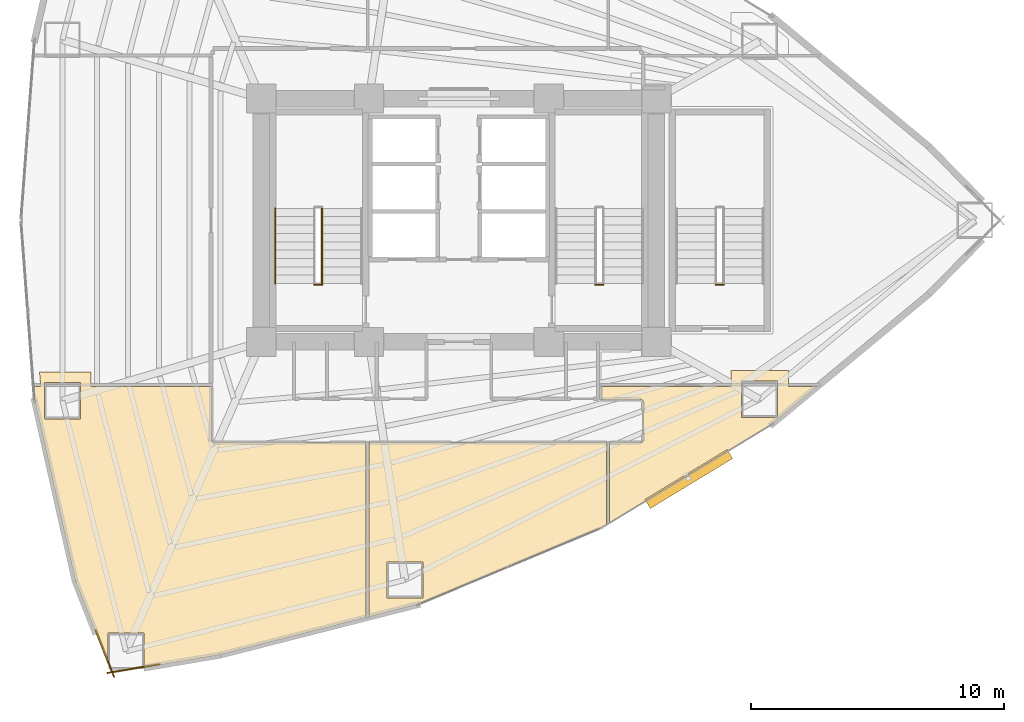
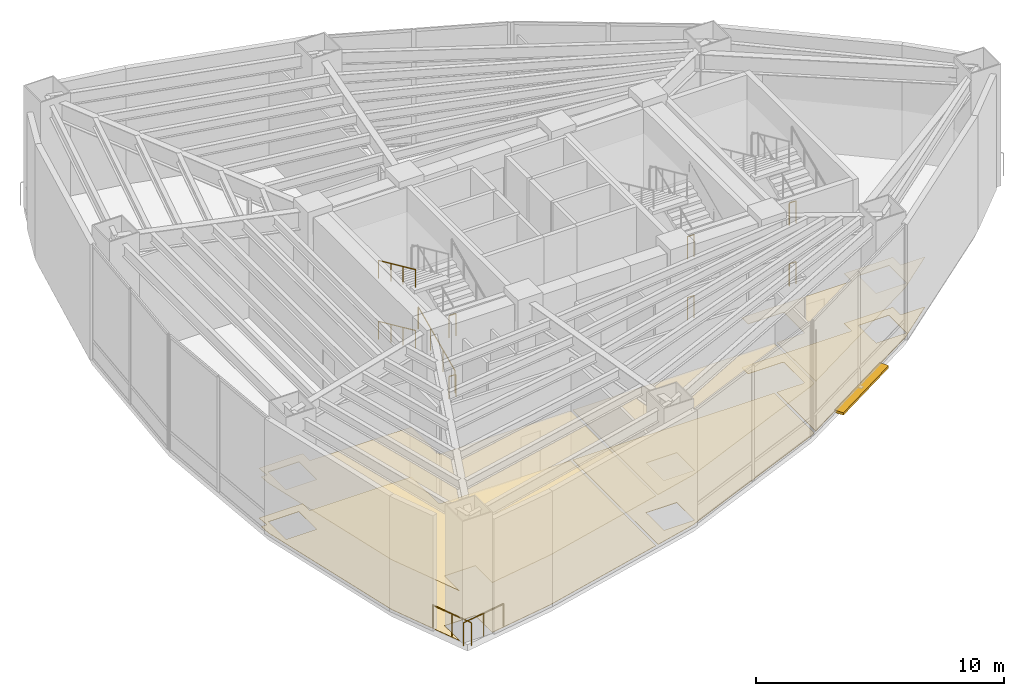
# One storey, part 17 of 19: 11 railings, 6 coverings, 1 shading device.
"""IFC4 building model written with IfcOpenShell, lengths in metres."""

from ifc_helpers import new_model, si_unit, direction, frame, origin, origin_2d, place, context, subcontext, project, spatial, polyline, rectangle, circle, outline, extrude, material, layer, layer_set, type_object, element, save


model = new_model("IFC4")

# Units and contexts
model_context = context("Model", 3, precision=1e-05, world=origin(), true_north=direction((0.0, 1.0)))
body_context = subcontext(model_context, "Body", "Model", "MODEL_VIEW")
ifc_project = project(units=[si_unit("LENGTHUNIT", "METRE"), si_unit("AREAUNIT", "SQUARE_METRE"), si_unit("VOLUMEUNIT", "CUBIC_METRE"), si_unit("PLANEANGLEUNIT", "RADIAN"), si_unit("MASSUNIT", "GRAM", prefix="KILO")], contexts=[model_context])

# Site, building, storey
site_placement = place(None, origin())
site = spatial("IfcSite", under=ifc_project, at=site_placement, CompositionType="ELEMENT")
building_placement = place(site_placement, origin())
building = spatial("IfcBuilding", under=site, at=building_placement, Name="Menara Vayukalpa", CompositionType="ELEMENT")
storey_placement = place(building_placement, frame((0.0, 0.0, 12.0)))
storey = spatial("IfcBuildingStorey", under=building, at=storey_placement, Name="L02", CompositionType="ELEMENT", Elevation=12.0)

# Coverings
ifc_material_1 = material(Name="Mineral Fibre Acoustic Ceiling Tile", Category="masonry")
ifc_layer_1 = layer(ifc_material_1, 0.02490234375)
ifc_layer_set_1 = layer_set([ifc_layer_1], Name="Mineral Fibre Acoustic Ceiling Tile")
covering_type_1 = type_object("IfcCoveringType", Name="COV-CLG1", PredefinedType="CEILING", material=ifc_layer_set_1)
covering_1_placement = place(storey_placement, frame((0.0, 0.0, 2.449951171875)))
element("IfcCovering", 1, at=covering_1_placement, inside=storey, type_object=covering_type_1, Name="L02 Corporate Town Hall Auditorium Acoustic Ceiling", PredefinedType="CEILING", context=body_context, shape_type="SweptSolid", body=[
    extrude(outline(polyline([(10.4658203125, 7.744384765625), (10.465576171875, 7.7451171875), (10.46533203125, 7.745849609375), (8.862060546875, 14.871826171875), (8.86181640625, 14.873291015625), (8.820068359375, 15.42919921875), (8.820068359375, 15.43017578125), (8.8203125, 15.43115234375), (8.8203125, 15.43212890625), (8.820556640625, 15.43310546875), (8.82080078125, 15.43408203125), (8.8212890625, 15.434814453125), (8.822021484375, 15.435791015625), (8.822509765625, 15.436279296875), (8.822998046875, 15.43701171875), (8.82373046875, 15.437744140625), (8.82470703125, 15.4384765625), (8.825439453125, 15.43896484375), (8.826416015625, 15.439208984375), (8.8271484375, 15.439697265625), (8.828125, 15.439697265625), (8.8291015625, 15.43994140625), (8.830078125, 15.43994140625), (9.090087890625, 15.43994140625), (9.047607421875, 16.006103515625), (11.0869140625, 16.006103515625), (11.0869140625, 15.43994140625), (15.820068359375, 15.43994140625), (15.821044921875, 15.43994140625), (15.822021484375, 15.439697265625), (15.822998046875, 15.439697265625), (15.82373046875, 15.439208984375), (15.82470703125, 15.438720703125), (15.82568359375, 15.438232421875), (15.826416015625, 15.437744140625), (15.8271484375, 15.43701171875), (15.82763671875, 15.436279296875), (15.828369140625, 15.435546875), (15.828857421875, 15.434814453125), (15.8291015625, 15.433837890625), (15.82958984375, 15.432861328125), (15.829833984375, 15.431884765625), (15.830078125, 15.430908203125), (15.830078125, 15.429931640625), (15.830078125, 13.290283203125), (15.830322265625, 13.283203125), (15.831298828125, 13.2763671875), (15.8330078125, 13.269775390625), (15.835205078125, 13.26318359375), (15.838134765625, 13.257080078125), (15.841796875, 13.251220703125), (15.845947265625, 13.24560546875), (15.8505859375, 13.240478515625), (15.85546875, 13.236083984375), (15.861083984375, 13.231689453125), (15.866943359375, 13.228271484375), (15.873291015625, 13.225341796875), (15.879638671875, 13.222900390625), (15.88623046875, 13.22119140625), (15.893310546875, 13.220458984375), (15.900390625, 13.219970703125), (21.929931640625, 13.219970703125), (21.930908203125, 13.219970703125), (21.931884765625, 13.2197265625), (21.932861328125, 13.219482421875), (21.933837890625, 13.21923828125), (21.934814453125, 13.21875), (21.935546875, 13.21826171875), (21.936279296875, 13.2177734375), (21.93701171875, 13.217041015625), (21.937744140625, 13.21630859375), (21.938232421875, 13.215576171875), (21.938720703125, 13.214599609375), (21.939208984375, 13.2138671875), (21.939697265625, 13.212890625), (21.939697265625, 13.2119140625), (21.93994140625, 13.2109375), (21.93994140625, 13.2099609375), (21.93994140625, 6.319091796875), (21.93994140625, 6.318115234375), (21.939697265625, 6.317138671875), (21.939453125, 6.316162109375), (21.939208984375, 6.315185546875), (21.938720703125, 6.314208984375), (21.938232421875, 6.3134765625), (21.9375, 6.3125), (21.93701171875, 6.311767578125), (21.93603515625, 6.311279296875), (21.935302734375, 6.310546875), (21.934326171875, 6.31005859375), (21.933349609375, 6.309814453125), (21.9326171875, 6.309326171875), (16.171875, 4.84033203125), (16.171142578125, 4.840087890625), (13.17529296875, 4.33154296875), (13.17529296875, 5.696044921875), (11.745361328125, 5.696044921875), (11.745361328125, 4.486328125), (10.4658203125, 7.744384765625)]), holes=[polyline([(10.6669921875, 15.586181640625), (9.237060546875, 15.586181640625), (9.237060546875, 14.156005859375), (10.6669921875, 14.156005859375), (10.6669921875, 15.586181640625)])]), origin(), (0.0, 0.0, 1.0), 0.025146484375),
])
covering_2_placement = place(storey_placement, frame((0.0, 0.0, 2.449951171875)))
element("IfcCovering", 2, at=covering_2_placement, inside=storey, type_object=covering_type_1, Name="L02 Executive Seminar Hall Acoustic Ceiling", PredefinedType="CEILING", context=body_context, shape_type="SweptSolid", body=[
    extrude(outline(polyline([(31.236083984375, 9.8681640625), (23.972412109375, 6.829833984375), (23.970947265625, 6.829345703125), (22.072509765625, 6.34521484375), (22.071533203125, 6.344970703125), (22.070556640625, 6.3447265625), (22.069580078125, 6.3447265625), (22.068603515625, 6.344970703125), (22.067626953125, 6.34521484375), (22.06689453125, 6.34521484375), (22.06591796875, 6.345703125), (22.065185546875, 6.34619140625), (22.064208984375, 6.3466796875), (22.0634765625, 6.34716796875), (22.062744140625, 6.347900390625), (22.062255859375, 6.3486328125), (22.0615234375, 6.349365234375), (22.06103515625, 6.35009765625), (22.060791015625, 6.35107421875), (22.060302734375, 6.35205078125), (22.060302734375, 6.352783203125), (22.06005859375, 6.353759765625), (22.06005859375, 6.354736328125), (22.06005859375, 13.2099609375), (22.06005859375, 13.2109375), (22.060302734375, 13.2119140625), (22.060302734375, 13.212890625), (22.060791015625, 13.2138671875), (22.061279296875, 13.214599609375), (22.061767578125, 13.215576171875), (22.062255859375, 13.21630859375), (22.06298828125, 13.217041015625), (22.063720703125, 13.2177734375), (22.064453125, 13.21826171875), (22.065185546875, 13.21875), (22.066162109375, 13.21923828125), (22.067138671875, 13.219482421875), (22.068115234375, 13.2197265625), (22.069091796875, 13.219970703125), (22.070068359375, 13.219970703125), (31.429931640625, 13.219970703125), (31.430908203125, 13.219970703125), (31.431884765625, 13.2197265625), (31.432861328125, 13.219482421875), (31.433837890625, 13.21923828125), (31.434814453125, 13.21875), (31.435546875, 13.21826171875), (31.436279296875, 13.2177734375), (31.43701171875, 13.217041015625), (31.437744140625, 13.21630859375), (31.438232421875, 13.215576171875), (31.438720703125, 13.214599609375), (31.439208984375, 13.2138671875), (31.439697265625, 13.212890625), (31.439697265625, 13.2119140625), (31.43994140625, 13.2109375), (31.43994140625, 13.2099609375), (31.43994140625, 10.005126953125), (31.440185546875, 9.99951171875), (31.440185546875, 9.9990234375), (31.4404296875, 9.998046875), (31.4404296875, 9.997314453125), (31.440185546875, 9.99609375), (31.440185546875, 9.995361328125), (31.439697265625, 9.994384765625), (31.439453125, 9.993408203125), (31.43896484375, 9.99267578125), (31.4384765625, 9.99169921875), (31.437744140625, 9.9912109375), (31.43701171875, 9.990478515625), (31.436279296875, 9.98974609375), (31.435546875, 9.9892578125), (31.2373046875, 9.868896484375), (31.23681640625, 9.868408203125), (31.236083984375, 9.8681640625)]), holes=[polyline([(24.190673828125, 8.51513671875), (22.760498046875, 8.51513671875), (22.760498046875, 7.085205078125), (24.190673828125, 7.085205078125), (24.190673828125, 8.51513671875)])]), origin(), (0.0, 0.0, 1.0), 0.025146484375),
])
covering_3_placement = place(storey_placement, frame((0.0, 0.0, 2.449951171875)))
element("IfcCovering", 3, at=covering_3_placement, inside=storey, type_object=covering_type_1, Name="L02 Commercial Kitchen and Servery Acoustic Ceiling", PredefinedType="CEILING", context=body_context, shape_type="SweptSolid", body=[
    extrude(outline(polyline([(31.573486328125, 10.0732421875), (31.572509765625, 10.072998046875), (31.571533203125, 10.07275390625), (31.570556640625, 10.072509765625), (31.569580078125, 10.072509765625), (31.568603515625, 10.07275390625), (31.56787109375, 10.07275390625), (31.56689453125, 10.072998046875), (31.56591796875, 10.073486328125), (31.565185546875, 10.073974609375), (31.564208984375, 10.074462890625), (31.5634765625, 10.074951171875), (31.562744140625, 10.07568359375), (31.562255859375, 10.076416015625), (31.5615234375, 10.0771484375), (31.56103515625, 10.077880859375), (31.560791015625, 10.078857421875), (31.560302734375, 10.079833984375), (31.560302734375, 10.080810546875), (31.56005859375, 10.08154296875), (31.56005859375, 10.08251953125), (31.56005859375, 13.2099609375), (31.56005859375, 13.2109375), (31.560302734375, 13.2119140625), (31.560302734375, 13.212890625), (31.560791015625, 13.2138671875), (31.561279296875, 13.214599609375), (31.561767578125, 13.215576171875), (31.562255859375, 13.21630859375), (31.56298828125, 13.217041015625), (31.563720703125, 13.2177734375), (31.564453125, 13.21826171875), (31.565185546875, 13.21875), (31.566162109375, 13.21923828125), (31.567138671875, 13.219482421875), (31.568115234375, 13.2197265625), (31.569091796875, 13.219970703125), (31.570068359375, 13.219970703125), (32.7998046875, 13.219970703125), (32.806884765625, 13.220458984375), (32.813720703125, 13.22119140625), (32.8203125, 13.222900390625), (32.826904296875, 13.225341796875), (32.8330078125, 13.228271484375), (32.8388671875, 13.231689453125), (32.844482421875, 13.236083984375), (32.849609375, 13.240478515625), (32.85400390625, 13.24560546875), (32.858154296875, 13.251220703125), (32.86181640625, 13.257080078125), (32.86474609375, 13.26318359375), (32.866943359375, 13.269775390625), (32.86865234375, 13.2763671875), (32.86962890625, 13.283203125), (32.8701171875, 13.290283203125), (32.8701171875, 14.849609375), (32.86962890625, 14.856689453125), (32.86865234375, 14.86376953125), (32.866943359375, 14.870361328125), (32.86474609375, 14.876708984375), (32.86181640625, 14.883056640625), (32.858154296875, 14.888916015625), (32.85400390625, 14.89453125), (32.849609375, 14.8994140625), (32.844482421875, 14.904052734375), (32.8388671875, 14.908203125), (32.8330078125, 14.911865234375), (32.826904296875, 14.914794921875), (32.8203125, 14.9169921875), (32.813720703125, 14.918701171875), (32.806884765625, 14.919677734375), (32.7998046875, 14.919921875), (31.219970703125, 14.919921875), (31.218994140625, 14.919921875), (31.218017578125, 14.920166015625), (31.217041015625, 14.92041015625), (31.21630859375, 14.9208984375), (31.21533203125, 14.921142578125), (31.21435546875, 14.921630859375), (31.213623046875, 14.92236328125), (31.212890625, 14.9228515625), (31.21240234375, 14.923583984375), (31.211669921875, 14.92431640625), (31.211181640625, 14.92529296875), (31.210693359375, 14.92626953125), (31.21044921875, 14.927001953125), (31.210205078125, 14.927978515625), (31.2099609375, 14.928955078125), (31.2099609375, 14.929931640625), (31.2099609375, 15.429931640625), (31.2099609375, 15.430908203125), (31.210205078125, 15.431884765625), (31.21044921875, 15.432861328125), (31.210693359375, 15.433837890625), (31.211181640625, 15.434814453125), (31.211669921875, 15.435546875), (31.21240234375, 15.436279296875), (31.212890625, 15.43701171875), (31.213623046875, 15.437744140625), (31.21435546875, 15.438232421875), (31.21533203125, 15.438720703125), (31.21630859375, 15.439208984375), (31.217041015625, 15.439697265625), (31.218017578125, 15.439697265625), (31.218994140625, 15.43994140625), (31.219970703125, 15.43994140625), (36.339111328125, 15.43994140625), (36.339111328125, 16.064208984375), (38.60888671875, 16.064208984375), (38.60888671875, 15.43994140625), (39.727783203125, 15.43994140625), (39.728759765625, 15.43994140625), (39.729736328125, 15.439697265625), (39.730712890625, 15.439697265625), (39.731689453125, 15.439208984375), (39.732421875, 15.438720703125), (39.7333984375, 15.438232421875), (39.734130859375, 15.437744140625), (39.73486328125, 15.43701171875), (39.735595703125, 15.436279296875), (39.736083984375, 15.435546875), (39.736572265625, 15.434814453125), (39.737060546875, 15.433837890625), (39.7373046875, 15.432861328125), (39.737548828125, 15.431884765625), (39.73779296875, 15.430908203125), (39.73779296875, 15.429931640625), (39.73779296875, 15.42919921875), (39.737548828125, 15.427978515625), (39.7373046875, 15.427001953125), (39.737060546875, 15.42626953125), (39.736572265625, 15.42529296875), (39.736083984375, 15.424560546875), (39.735595703125, 15.423583984375), (39.73486328125, 15.423095703125), (39.734130859375, 15.42236328125), (37.968017578125, 13.95751953125), (37.966796875, 13.956787109375), (31.5751953125, 10.07421875), (31.57421875, 10.073486328125), (31.573486328125, 10.0732421875)]), holes=[polyline([(38.18896484375, 15.64404296875), (36.759033203125, 15.64404296875), (36.759033203125, 14.214111328125), (38.18896484375, 14.214111328125), (38.18896484375, 15.64404296875)])]), origin(), (0.0, 0.0, 1.0), 0.025146484375),
])
ifc_material_2 = material(Name="Porcelain Stoneware Floor Tile", Category="masonry")
ifc_layer_2 = layer(ifc_material_2, 0.02001953125)
ifc_layer_set_2 = layer_set([ifc_layer_2], Name="Porcelain Stoneware Floor Tile")
covering_type_2 = type_object("IfcCoveringType", Name="COV-FLR1", PredefinedType="FLOORING", material=ifc_layer_set_2)
covering_4_placement = place(storey_placement, origin())
element("IfcCovering", 4, at=covering_4_placement, inside=storey, type_object=covering_type_2, Name="L02 Corporate Town Hall Auditorium Porcelain Flooring", PredefinedType="FLOORING", context=body_context, shape_type="SweptSolid", body=[
    extrude(outline(polyline([(10.4658203125, 7.744384765625), (10.465576171875, 7.7451171875), (10.46533203125, 7.745849609375), (8.862060546875, 14.871826171875), (8.86181640625, 14.873291015625), (8.820068359375, 15.42919921875), (8.820068359375, 15.43017578125), (8.8203125, 15.43115234375), (8.8203125, 15.43212890625), (8.820556640625, 15.43310546875), (8.82080078125, 15.43408203125), (8.8212890625, 15.434814453125), (8.822021484375, 15.435791015625), (8.822509765625, 15.436279296875), (8.822998046875, 15.43701171875), (8.82373046875, 15.437744140625), (8.82470703125, 15.4384765625), (8.825439453125, 15.43896484375), (8.826416015625, 15.439208984375), (8.8271484375, 15.439697265625), (8.828125, 15.439697265625), (8.8291015625, 15.43994140625), (8.830078125, 15.43994140625), (9.090087890625, 15.43994140625), (9.047607421875, 16.006103515625), (11.0869140625, 16.006103515625), (11.0869140625, 15.43994140625), (15.820068359375, 15.43994140625), (15.821044921875, 15.43994140625), (15.822021484375, 15.439697265625), (15.822998046875, 15.439697265625), (15.82373046875, 15.439208984375), (15.82470703125, 15.438720703125), (15.82568359375, 15.438232421875), (15.826416015625, 15.437744140625), (15.8271484375, 15.43701171875), (15.82763671875, 15.436279296875), (15.828369140625, 15.435546875), (15.828857421875, 15.434814453125), (15.8291015625, 15.433837890625), (15.82958984375, 15.432861328125), (15.829833984375, 15.431884765625), (15.830078125, 15.430908203125), (15.830078125, 15.429931640625), (15.830078125, 13.290283203125), (15.830322265625, 13.283203125), (15.831298828125, 13.2763671875), (15.8330078125, 13.269775390625), (15.835205078125, 13.26318359375), (15.838134765625, 13.257080078125), (15.841796875, 13.251220703125), (15.845947265625, 13.24560546875), (15.8505859375, 13.240478515625), (15.85546875, 13.236083984375), (15.861083984375, 13.231689453125), (15.866943359375, 13.228271484375), (15.873291015625, 13.225341796875), (15.879638671875, 13.222900390625), (15.88623046875, 13.22119140625), (15.893310546875, 13.220458984375), (15.900390625, 13.219970703125), (21.929931640625, 13.219970703125), (21.930908203125, 13.219970703125), (21.931884765625, 13.2197265625), (21.932861328125, 13.219482421875), (21.933837890625, 13.21923828125), (21.934814453125, 13.21875), (21.935546875, 13.21826171875), (21.936279296875, 13.2177734375), (21.93701171875, 13.217041015625), (21.937744140625, 13.21630859375), (21.938232421875, 13.215576171875), (21.938720703125, 13.214599609375), (21.939208984375, 13.2138671875), (21.939697265625, 13.212890625), (21.939697265625, 13.2119140625), (21.93994140625, 13.2109375), (21.93994140625, 13.2099609375), (21.93994140625, 6.319091796875), (21.93994140625, 6.318115234375), (21.939697265625, 6.317138671875), (21.939453125, 6.316162109375), (21.939208984375, 6.315185546875), (21.938720703125, 6.314208984375), (21.938232421875, 6.3134765625), (21.9375, 6.3125), (21.93701171875, 6.311767578125), (21.93603515625, 6.311279296875), (21.935302734375, 6.310546875), (21.934326171875, 6.31005859375), (21.933349609375, 6.309814453125), (21.9326171875, 6.309326171875), (16.171875, 4.84033203125), (16.171142578125, 4.840087890625), (13.17529296875, 4.33154296875), (13.17529296875, 5.696044921875), (11.745361328125, 5.696044921875), (11.745361328125, 4.486328125), (10.4658203125, 7.744384765625)]), holes=[polyline([(10.6669921875, 15.586181640625), (9.237060546875, 15.586181640625), (9.237060546875, 14.156005859375), (10.6669921875, 14.156005859375), (10.6669921875, 15.586181640625)])]), origin(), (0.0, 0.0, 1.0), 0.02001953125),
])
covering_5_placement = place(storey_placement, origin())
element("IfcCovering", 5, at=covering_5_placement, inside=storey, type_object=covering_type_2, Name="L02 Executive Seminar Hall Porcelain Flooring", PredefinedType="FLOORING", context=body_context, shape_type="SweptSolid", body=[
    extrude(outline(polyline([(31.236083984375, 9.8681640625), (23.972412109375, 6.829833984375), (23.970947265625, 6.829345703125), (22.072509765625, 6.34521484375), (22.071533203125, 6.344970703125), (22.070556640625, 6.3447265625), (22.069580078125, 6.3447265625), (22.068603515625, 6.344970703125), (22.067626953125, 6.34521484375), (22.06689453125, 6.34521484375), (22.06591796875, 6.345703125), (22.065185546875, 6.34619140625), (22.064208984375, 6.3466796875), (22.0634765625, 6.34716796875), (22.062744140625, 6.347900390625), (22.062255859375, 6.3486328125), (22.0615234375, 6.349365234375), (22.06103515625, 6.35009765625), (22.060791015625, 6.35107421875), (22.060302734375, 6.35205078125), (22.060302734375, 6.352783203125), (22.06005859375, 6.353759765625), (22.06005859375, 6.354736328125), (22.06005859375, 13.2099609375), (22.06005859375, 13.2109375), (22.060302734375, 13.2119140625), (22.060302734375, 13.212890625), (22.060791015625, 13.2138671875), (22.061279296875, 13.214599609375), (22.061767578125, 13.215576171875), (22.062255859375, 13.21630859375), (22.06298828125, 13.217041015625), (22.063720703125, 13.2177734375), (22.064453125, 13.21826171875), (22.065185546875, 13.21875), (22.066162109375, 13.21923828125), (22.067138671875, 13.219482421875), (22.068115234375, 13.2197265625), (22.069091796875, 13.219970703125), (22.070068359375, 13.219970703125), (31.429931640625, 13.219970703125), (31.430908203125, 13.219970703125), (31.431884765625, 13.2197265625), (31.432861328125, 13.219482421875), (31.433837890625, 13.21923828125), (31.434814453125, 13.21875), (31.435546875, 13.21826171875), (31.436279296875, 13.2177734375), (31.43701171875, 13.217041015625), (31.437744140625, 13.21630859375), (31.438232421875, 13.215576171875), (31.438720703125, 13.214599609375), (31.439208984375, 13.2138671875), (31.439697265625, 13.212890625), (31.439697265625, 13.2119140625), (31.43994140625, 13.2109375), (31.43994140625, 13.2099609375), (31.43994140625, 10.005126953125), (31.440185546875, 9.99951171875), (31.440185546875, 9.9990234375), (31.4404296875, 9.998046875), (31.4404296875, 9.997314453125), (31.440185546875, 9.99609375), (31.440185546875, 9.995361328125), (31.439697265625, 9.994384765625), (31.439453125, 9.993408203125), (31.43896484375, 9.99267578125), (31.4384765625, 9.99169921875), (31.437744140625, 9.9912109375), (31.43701171875, 9.990478515625), (31.436279296875, 9.98974609375), (31.435546875, 9.9892578125), (31.2373046875, 9.868896484375), (31.23681640625, 9.868408203125), (31.236083984375, 9.8681640625)]), holes=[polyline([(24.190673828125, 8.51513671875), (22.760498046875, 8.51513671875), (22.760498046875, 7.085205078125), (24.190673828125, 7.085205078125), (24.190673828125, 8.51513671875)])]), origin(), (0.0, 0.0, 1.0), 0.02001953125),
])
covering_6_placement = place(storey_placement, origin())
element("IfcCovering", 6, at=covering_6_placement, inside=storey, type_object=covering_type_2, Name="L02 Commercial Kitchen and Servery Porcelain Flooring", PredefinedType="FLOORING", context=body_context, shape_type="SweptSolid", body=[
    extrude(outline(polyline([(31.573486328125, 10.0732421875), (31.572509765625, 10.072998046875), (31.571533203125, 10.07275390625), (31.570556640625, 10.072509765625), (31.569580078125, 10.072509765625), (31.568603515625, 10.07275390625), (31.56787109375, 10.07275390625), (31.56689453125, 10.072998046875), (31.56591796875, 10.073486328125), (31.565185546875, 10.073974609375), (31.564208984375, 10.074462890625), (31.5634765625, 10.074951171875), (31.562744140625, 10.07568359375), (31.562255859375, 10.076416015625), (31.5615234375, 10.0771484375), (31.56103515625, 10.077880859375), (31.560791015625, 10.078857421875), (31.560302734375, 10.079833984375), (31.560302734375, 10.080810546875), (31.56005859375, 10.08154296875), (31.56005859375, 10.08251953125), (31.56005859375, 13.2099609375), (31.56005859375, 13.2109375), (31.560302734375, 13.2119140625), (31.560302734375, 13.212890625), (31.560791015625, 13.2138671875), (31.561279296875, 13.214599609375), (31.561767578125, 13.215576171875), (31.562255859375, 13.21630859375), (31.56298828125, 13.217041015625), (31.563720703125, 13.2177734375), (31.564453125, 13.21826171875), (31.565185546875, 13.21875), (31.566162109375, 13.21923828125), (31.567138671875, 13.219482421875), (31.568115234375, 13.2197265625), (31.569091796875, 13.219970703125), (31.570068359375, 13.219970703125), (32.7998046875, 13.219970703125), (32.806884765625, 13.220458984375), (32.813720703125, 13.22119140625), (32.8203125, 13.222900390625), (32.826904296875, 13.225341796875), (32.8330078125, 13.228271484375), (32.8388671875, 13.231689453125), (32.844482421875, 13.236083984375), (32.849609375, 13.240478515625), (32.85400390625, 13.24560546875), (32.858154296875, 13.251220703125), (32.86181640625, 13.257080078125), (32.86474609375, 13.26318359375), (32.866943359375, 13.269775390625), (32.86865234375, 13.2763671875), (32.86962890625, 13.283203125), (32.8701171875, 13.290283203125), (32.8701171875, 14.849609375), (32.86962890625, 14.856689453125), (32.86865234375, 14.86376953125), (32.866943359375, 14.870361328125), (32.86474609375, 14.876708984375), (32.86181640625, 14.883056640625), (32.858154296875, 14.888916015625), (32.85400390625, 14.89453125), (32.849609375, 14.8994140625), (32.844482421875, 14.904052734375), (32.8388671875, 14.908203125), (32.8330078125, 14.911865234375), (32.826904296875, 14.914794921875), (32.8203125, 14.9169921875), (32.813720703125, 14.918701171875), (32.806884765625, 14.919677734375), (32.7998046875, 14.919921875), (31.219970703125, 14.919921875), (31.218994140625, 14.919921875), (31.218017578125, 14.920166015625), (31.217041015625, 14.92041015625), (31.21630859375, 14.9208984375), (31.21533203125, 14.921142578125), (31.21435546875, 14.921630859375), (31.213623046875, 14.92236328125), (31.212890625, 14.9228515625), (31.21240234375, 14.923583984375), (31.211669921875, 14.92431640625), (31.211181640625, 14.92529296875), (31.210693359375, 14.92626953125), (31.21044921875, 14.927001953125), (31.210205078125, 14.927978515625), (31.2099609375, 14.928955078125), (31.2099609375, 14.929931640625), (31.2099609375, 15.429931640625), (31.2099609375, 15.430908203125), (31.210205078125, 15.431884765625), (31.21044921875, 15.432861328125), (31.210693359375, 15.433837890625), (31.211181640625, 15.434814453125), (31.211669921875, 15.435546875), (31.21240234375, 15.436279296875), (31.212890625, 15.43701171875), (31.213623046875, 15.437744140625), (31.21435546875, 15.438232421875), (31.21533203125, 15.438720703125), (31.21630859375, 15.439208984375), (31.217041015625, 15.439697265625), (31.218017578125, 15.439697265625), (31.218994140625, 15.43994140625), (31.219970703125, 15.43994140625), (36.339111328125, 15.43994140625), (36.339111328125, 16.064208984375), (38.60888671875, 16.064208984375), (38.60888671875, 15.43994140625), (39.727783203125, 15.43994140625), (39.728759765625, 15.43994140625), (39.729736328125, 15.439697265625), (39.730712890625, 15.439697265625), (39.731689453125, 15.439208984375), (39.732421875, 15.438720703125), (39.7333984375, 15.438232421875), (39.734130859375, 15.437744140625), (39.73486328125, 15.43701171875), (39.735595703125, 15.436279296875), (39.736083984375, 15.435546875), (39.736572265625, 15.434814453125), (39.737060546875, 15.433837890625), (39.7373046875, 15.432861328125), (39.737548828125, 15.431884765625), (39.73779296875, 15.430908203125), (39.73779296875, 15.429931640625), (39.73779296875, 15.42919921875), (39.737548828125, 15.427978515625), (39.7373046875, 15.427001953125), (39.737060546875, 15.42626953125), (39.736572265625, 15.42529296875), (39.736083984375, 15.424560546875), (39.735595703125, 15.423583984375), (39.73486328125, 15.423095703125), (39.734130859375, 15.42236328125), (37.968017578125, 13.95751953125), (37.966796875, 13.956787109375), (31.5751953125, 10.07421875), (31.57421875, 10.073486328125), (31.573486328125, 10.0732421875)]), holes=[polyline([(38.18896484375, 15.64404296875), (36.759033203125, 15.64404296875), (36.759033203125, 14.214111328125), (38.18896484375, 14.214111328125), (38.18896484375, 15.64404296875)])]), origin(), (0.0, 0.0, 1.0), 0.02001953125),
])

# Railings
ifc_material_3 = material(Name="Laminated Glass and Stainless Steel 316 Guardrail", Category="steel")
railing_type_1 = type_object("IfcRailingType", Name="RLG-EXT115", PredefinedType="GUARDRAIL", material=ifc_material_3)
railing_1_placement = place(storey_placement, frame((11.263916015625, 5.82177734375, 0.0)))
element("IfcRailing", 7, at=railing_1_placement, inside=storey, type_object=railing_type_1, Name="L02 Column Corner Spandrel Guardrail 13-1", PredefinedType="GUARDRAIL", context=body_context, shape_type="SweptSolid", body=[
    extrude(circle(Radius=0.02392578125, at=origin_2d()), frame((0.0, 0.0, 1.1259765625), z_axis=(0.365580158762, -0.930779859859, 0.0), x_axis=(0.930779859859, 0.365580158762, 0.0)), (0.0, 0.0, 1.0), 1.9873046875),
    extrude(circle(Radius=0.02099609375, at=origin_2d()), origin(), (0.0, 0.0, 1.0), 1.101806640625),
    extrude(circle(Radius=0.02099609375, at=origin_2d()), frame((0.36328125, -0.9248046875, 0.0)), (0.0, 0.0, 1.0), 1.101806640625),
    extrude(circle(Radius=0.02099609375, at=origin_2d()), frame((0.7265625, -1.849853515625, 0.0)), (0.0, 0.0, 1.0), 1.101806640625),
])
railing_2_placement = place(storey_placement, frame((11.71923828125, 4.125, 0.0)))
element("IfcRailing", 8, at=railing_2_placement, inside=storey, type_object=railing_type_1, Name="L02 Column Corner Spandrel Guardrail 14-1", PredefinedType="GUARDRAIL", context=body_context, shape_type="SweptSolid", body=[
    extrude(circle(Radius=0.02392578125, at=origin_2d()), frame((0.0, 0.0, 1.1259765625), z_axis=(0.985904350491, 0.167309927029, 0.0), x_axis=(-0.167309927029, 0.985904350491, 0.0)), (0.0, 0.0, 1.0), 2.093994140625),
    extrude(circle(Radius=0.02099609375, at=origin_2d()), origin(), (0.0, 0.0, 1.0), 1.101806640625),
    extrude(circle(Radius=0.02099609375, at=origin_2d()), frame((1.0322265625, 0.17529296875, 0.0)), (0.0, 0.0, 1.0), 1.101806640625),
    extrude(circle(Radius=0.02099609375, at=origin_2d()), frame((2.064453125, 0.350341796875, 0.0)), (0.0, 0.0, 1.0), 1.101806640625),
])
ifc_material_4 = material(Name="Powder-Coated Galvanised Steel Guardrail", Category="steel")
railing_type_2 = type_object("IfcRailingType", Name="RLG-STG110", PredefinedType="GUARDRAIL", material=ifc_material_4)
railing_3_placement = place(storey_placement, frame((20.199951171875, 19.5, 0.14990234375)))
element("IfcRailing", 9, at=railing_3_placement, inside=storey, type_object=railing_type_2, Name="L02 ST-1 stair guard 1", PredefinedType="GUARDRAIL", context=body_context, shape_type="SweptSolid", body=[
    extrude(circle(Radius=0.02392578125, at=origin_2d()), frame((0.0, 0.0, 1.09619140625), z_axis=(0.0, 0.910353663012, 0.413831134933), x_axis=(-1.0, 0.0, 0.0)), (0.0, 0.0, 1.0), 3.262451171875),
    extrude(circle(Radius=0.02099609375, at=origin_2d()), origin(), (0.0, 0.0, 1.0), 1.072021484375),
    extrude(circle(Radius=0.02099609375, at=origin_2d()), frame((0.0, 0.989990234375, 0.449951171875)), (0.0, 0.0, 1.0), 1.072021484375),
    extrude(circle(Radius=0.02099609375, at=origin_2d()), frame((0.0, 1.97998046875, 0.900146484375)), (0.0, 0.0, 1.0), 1.072021484375),
    extrude(circle(Radius=0.02099609375, at=origin_2d()), frame((0.0, 2.969970703125, 1.35009765625)), (0.0, 0.0, 1.0), 1.072021484375),
])
for number, where, name in (
    (10, (20.2099609375, 19.449951171875, 3.0), "L02 ST-1 stair guard 4"),
    (11, (20.2099609375, 19.449951171875, 0.0), "L02 ST-1 stair guard 8"),
    (12, (31.31005859375, 19.449951171875, 3.0), "L02 ST-2 stair guard 4"),
    (13, (31.31005859375, 19.449951171875, 0.0), "L02 ST-2 stair guard 8"),
    (14, (36.06005859375, 19.449951171875, 3.0), "L02 ST-3 stair guard 4"),
    (15, (36.06005859375, 19.449951171875, 0.0), "L02 ST-3 stair guard 8"),
):
    element("IfcRailing", number, at=place(storey_placement, frame(where)), inside=storey, type_object=railing_type_2, Name=name, PredefinedType="GUARDRAIL", context=body_context, shape_type="SweptSolid", body=[
        extrude(circle(Radius=0.02392578125, at=origin_2d()), frame((0.0, 0.0, 1.09619140625), z_axis=(-1.0, 0.0, 0.0), x_axis=(0.0, -1.0, 0.0)), (0.0, 0.0, 1.0), 0.320068359375),
        extrude(circle(Radius=0.02099609375, at=origin_2d()), origin(), (0.0, 0.0, 1.0), 1.072021484375),
        extrude(circle(Radius=0.02099609375, at=origin_2d()), frame((-0.320068359375, 0.0, 0.0)), (0.0, 0.0, 1.0), 1.072021484375),
    ])
ifc_material_5 = material(Name="Stainless Steel 316 Tubular Handrail", Category="steel")
railing_type_3 = type_object("IfcRailingType", Name="RLG-STH090", PredefinedType="HANDRAIL", material=ifc_material_5)
for number, where, name in (
    (16, (18.35009765625, 22.469970703125, 1.64990234375), "L02 ST-1 stair handrail 2"),
    (17, (18.35009765625, 22.469970703125, 4.64990234375), "L02 ST-1 stair handrail 4"),
):
    element("IfcRailing", number, at=place(storey_placement, frame(where)), inside=storey, type_object=railing_type_3, Name=name, PredefinedType="HANDRAIL", context=body_context, shape_type="SweptSolid", body=[
        extrude(circle(Radius=0.02392578125, at=origin_2d()), frame((0.0, 0.0, 0.8759765625), z_axis=(0.0, -0.910353663012, 0.413831134933), x_axis=(1.0, 0.0, 0.0)), (0.0, 0.0, 1.0), 3.262451171875),
        extrude(circle(Radius=0.02099609375, at=origin_2d()), origin(), (0.0, 0.0, 1.0), 0.851806640625),
        extrude(circle(Radius=0.02099609375, at=origin_2d()), frame((0.0, -0.989990234375, 0.449951171875)), (0.0, 0.0, 1.0), 0.851806640625),
        extrude(circle(Radius=0.02099609375, at=origin_2d()), frame((0.0, -1.97998046875, 0.900146484375)), (0.0, 0.0, 1.0), 0.851806640625),
        extrude(circle(Radius=0.02099609375, at=origin_2d()), frame((0.0, -2.969970703125, 1.35009765625)), (0.0, 0.0, 1.0), 0.851806640625),
    ])

# Shading device
ifc_material_6 = material(Name="Glazed Terracotta Ceramic Baguette Extrusion", Category="masonry")
ifc_layer_3 = layer(ifc_material_6, 0.1201171875)
ifc_layer_set_3 = layer_set([ifc_layer_3], Name="Glazed Terracotta Ceramic Baguette Extrusion")
shading_device_type = type_object("IfcShadingDeviceType", Name="SHD-SS1", PredefinedType="USERDEFINED", material=ifc_layer_set_3)
shading_device_placement = place(storey_placement, frame((34.679931640625, 11.784423828125, -0.10009765625), z_axis=(0.0, 0.0, 1.0), x_axis=(0.85466730962, 0.519176068272, 0.0)))
element("IfcShadingDevice", 18, at=shading_device_placement, inside=storey, type_object=shading_device_type, Name="L02 Horizontal Terracotta Sunshade Band 17", ObjectType="SUNSHADE", PredefinedType="USERDEFINED", context=body_context, shape_type="SweptSolid", body=[
    extrude(rectangle(XDim=3.800048828125, YDim=0.419921875, at=origin_2d()), origin(), (0.0, 0.0, 1.0), 0.1201171875),
])

save(model, "model.ifc")
